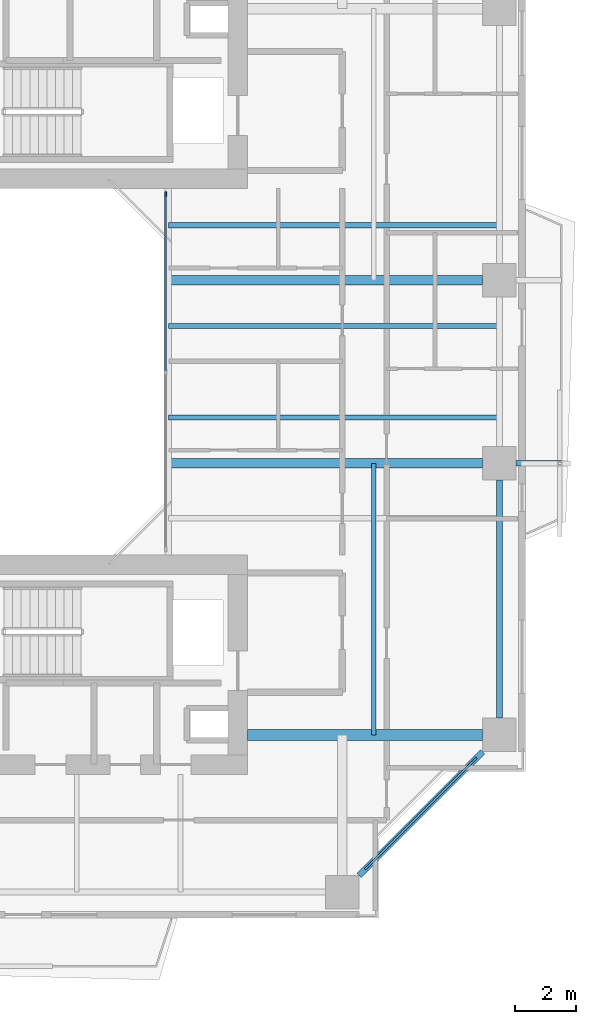
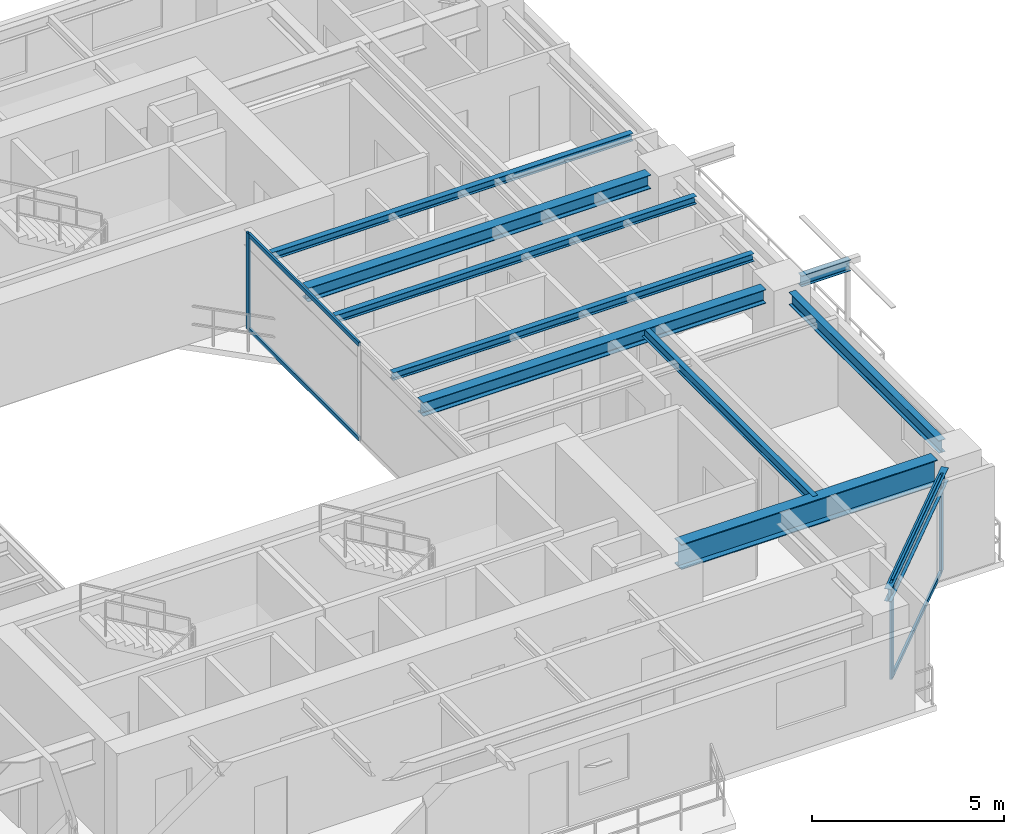
# One storey, part 6 of 17: 10 beams, 7 members, 2 elements without a shape of their own.
"""IFC4 building model written with IfcOpenShell, lengths in metres."""

from ifc_helpers import new_model, si_unit, direction, frame, origin, origin_2d, place, context, subcontext, project, spatial, rectangle, i_section, extrude, source, transform, mapped, material, layer, layer_set, material_profile, profile_set, type_object, element, aggregate, save


model = new_model("IFC4")

# Units and contexts
model_context = context("Model", 3, precision=1e-05, world=origin(), true_north=direction((0.0, 1.0)))
body_context = subcontext(model_context, "Body", "Model", "MODEL_VIEW")
ifc_project = project(units=[si_unit("LENGTHUNIT", "METRE"), si_unit("AREAUNIT", "SQUARE_METRE"), si_unit("VOLUMEUNIT", "CUBIC_METRE"), si_unit("PLANEANGLEUNIT", "RADIAN"), si_unit("MASSUNIT", "GRAM", prefix="KILO"), si_unit("THERMODYNAMICTEMPERATUREUNIT", "KELVIN"), si_unit("POWERUNIT", "WATT")], contexts=[model_context])

# Site, building, storey
site_placement = place(None, origin())
site = spatial("IfcSite", under=ifc_project, at=site_placement, CompositionType="ELEMENT")
building_placement = place(site_placement, origin())
building = spatial("IfcBuilding", under=site, at=building_placement, Name="Qiaomeng Ring Towers", CompositionType="ELEMENT")
storey_placement = place(building_placement, frame((0.0, 0.0, 129.5)))
storey = spatial("IfcBuildingStorey", under=building, at=storey_placement, Name="L37", CompositionType="ELEMENT", Elevation=129.5)

# Beams
ifc_material_1 = material(Name="Steel Q355B", Category="steel")
ifc_material_profile_1 = material_profile(ifc_material_1, i_section(OverallWidth=0.175048828125, OverallDepth=0.35009765625, WebThickness=0.007080078125, FlangeThickness=0.010986328125, FilletRadius=0.013916015625, at=origin_2d()), Name="HN 350x175x7x11")
ifc_profile_set_1 = profile_set([ifc_material_profile_1], Name="Steel Q355B")
beam_type_1 = type_object("IfcBeamType", Name="STR-BM-HN350", PredefinedType="JOIST", material=ifc_profile_set_1)
shared_shape_1 = source(origin(), body_context, "Body", "SweptSolid", [
    extrude(i_section(OverallWidth=0.175048828125, OverallDepth=0.35009765625, WebThickness=0.007080078125, FlangeThickness=0.010986328125, FilletRadius=0.013916015625, at=origin_2d()), origin(), (0.0, 0.0, 1.0), 1.48095703125),
])
beam_1_placement = place(storey_placement, frame((36.59912109375, 20.0, 2.89501953125), z_axis=(1.0, 0.0, 0.0), x_axis=(0.0, 1.0, 0.0)))
element("IfcBeam", 1, at=beam_1_placement, inside=storey, type_object=beam_type_1, Name="L37 beam STR-BALBM-L37-E2", PredefinedType="JOIST", context=body_context, shape_type="MappedRepresentation", body=[
    mapped(shared_shape_1, transform((0.0, 0.0, 0.0), x_axis=(1.0, 0.0, 0.0), y_axis=(0.0, 1.0, 0.0), z_axis=(0.0, 0.0, 1.0), scale=1.0)),
])
ifc_material_profile_2 = material_profile(ifc_material_1, i_section(OverallWidth=0.199951171875, OverallDepth=0.39990234375, WebThickness=0.008056640625, FlangeThickness=0.012939453125, FilletRadius=0.01611328125, at=origin_2d()), Name="HN 400x200x8x13")
ifc_profile_set_2 = profile_set([ifc_material_profile_2], Name="Steel Q355B")
beam_type_2 = type_object("IfcBeamType", Name="STR-BM-HN400", PredefinedType="SPANDREL", material=ifc_profile_set_2)
shared_shape_2 = source(origin(), body_context, "Body", "SweptSolid", [
    extrude(i_section(OverallWidth=0.199951171875, OverallDepth=0.39990234375, WebThickness=0.008056640625, FlangeThickness=0.012939453125, FilletRadius=0.01611328125, at=origin_2d()), origin(), (0.0, 0.0, 1.0), 5.729736328125),
])
beam_2_placement = place(storey_placement, frame((31.44921875, 6.499267578125, 2.8701171875), z_axis=(0.707106781187, 0.707106781187, 0.0), x_axis=(-0.707106781187, 0.707106781187, 0.0)))
element("IfcBeam", 2, at=beam_2_placement, inside=storey, type_object=beam_type_2, Name="L37 beam STR-SP-L37-T1-S2-E1", PredefinedType="SPANDREL", context=body_context, shape_type="MappedRepresentation", body=[
    mapped(shared_shape_2, transform((0.0, 0.0, 0.0), x_axis=(1.0, 0.0, 0.0), y_axis=(0.0, 1.0, 0.0), z_axis=(0.0, 0.0, 1.0), scale=1.0)),
])
shared_shape_3 = source(origin(), body_context, "Body", "SweptSolid", [
    extrude(i_section(OverallWidth=0.199951171875, OverallDepth=0.39990234375, WebThickness=0.008056640625, FlangeThickness=0.012939453125, FilletRadius=0.01611328125, at=origin_2d()), origin(), (0.0, 0.0, 1.0), 7.802001953125),
])
beam_3_placement = place(storey_placement, frame((36.050048828125, 11.64892578125, 2.8701171875), z_axis=(0.0, 1.0, 0.0), x_axis=(-1.0, 0.0, 0.0)))
element("IfcBeam", 3, at=beam_3_placement, inside=storey, type_object=beam_type_2, Name="L37 beam STR-SP-L37-T1-E1-E2", PredefinedType="SPANDREL", context=body_context, shape_type="MappedRepresentation", body=[
    mapped(shared_shape_3, transform((0.0, 0.0, 0.0), x_axis=(1.0, 0.0, 0.0), y_axis=(0.0, 1.0, 0.0), z_axis=(0.0, 0.0, 1.0), scale=1.0)),
])
ifc_material_2 = material(Name="Steel Q390GJC", Category="steel")
ifc_material_profile_3 = material_profile(ifc_material_2, i_section(OverallWidth=0.35009765625, OverallDepth=0.800048828125, WebThickness=0.01611328125, FlangeThickness=0.028076171875, at=origin_2d()), Name="WH 800x350x16x28")
ifc_profile_set_3 = profile_set([ifc_material_profile_3], Name="Steel Q390GJC")
beam_type_3 = type_object("IfcBeamType", Name="STR-BM-WH800", PredefinedType="BEAM", material=ifc_profile_set_3)
shared_shape_4 = source(origin(), body_context, "Body", "SweptSolid", [
    extrude(i_section(OverallWidth=0.35009765625, OverallDepth=0.800048828125, WebThickness=0.01611328125, FlangeThickness=0.028076171875, at=origin_2d()), origin(), (0.0, 0.0, 1.0), 7.700927734375),
])
beam_4_placement = place(storey_placement, frame((27.800048828125, 11.10009765625, 2.669921875), z_axis=(1.0, 0.0, 0.0), x_axis=(0.0, 1.0, 0.0)))
element("IfcBeam", 4, at=beam_4_placement, inside=storey, type_object=beam_type_3, Name="L37 beam STR-BM-L37-T1-RAD-E1", PredefinedType="BEAM", context=body_context, shape_type="MappedRepresentation", body=[
    mapped(shared_shape_4, transform((0.0, 0.0, 0.0), x_axis=(1.0, 0.0, 0.0), y_axis=(0.0, 1.0, 0.0), z_axis=(0.0, 0.0, 1.0), scale=1.0)),
])
ifc_material_profile_4 = material_profile(ifc_material_1, i_section(OverallWidth=0.300048828125, OverallDepth=0.43994140625, WebThickness=0.010986328125, FlangeThickness=0.01806640625, FilletRadius=0.02392578125, at=origin_2d()), Name="HM 440x300x11x18")
ifc_profile_set_4 = profile_set([ifc_material_profile_4], Name="Steel Q355B")
beam_type_4 = type_object("IfcBeamType", Name="STR-BM-HM440", PredefinedType="BEAM", material=ifc_profile_set_4)
shared_shape_5 = source(origin(), body_context, "Body", "SweptSolid", [
    extrude(i_section(OverallWidth=0.300048828125, OverallDepth=0.43994140625, WebThickness=0.010986328125, FlangeThickness=0.01806640625, FilletRadius=0.02392578125, at=origin_2d()), origin(), (0.0, 0.0, 1.0), 10.301025390625),
])
for number, where, z_axis, x_axis, name in (
    (5, (25.199951171875, 20.0, 2.85009765625), (1.0, 0.0, 0.0), (0.0, 1.0, 0.0), "L37 beam STR-BM-L37-T1-RAD-E2"),
    (6, (25.199951171875, 26.0, 2.85009765625), (1.0, 0.0, 0.0), (0.0, 1.0, 0.0), "L37 beam STR-BM-L37-T1-RAD-E3"),
):
    element("IfcBeam", number, at=place(storey_placement, frame(where, z_axis=z_axis, x_axis=x_axis)), inside=storey, type_object=beam_type_4, Name=name, PredefinedType="BEAM", context=body_context, shape_type="MappedRepresentation", body=[
        mapped(shared_shape_5, transform((0.0, 0.0, 0.0), x_axis=(1.0, 0.0, 0.0), y_axis=(0.0, 1.0, 0.0), z_axis=(0.0, 0.0, 1.0), scale=1.0)),
    ])
ifc_material_profile_5 = material_profile(ifc_material_1, i_section(OverallWidth=0.175048828125, OverallDepth=0.243896484375, WebThickness=0.007080078125, FlangeThickness=0.010986328125, FilletRadius=0.01611328125, at=origin_2d()), Name="HM 244x175x7x11")
ifc_profile_set_5 = profile_set([ifc_material_profile_5], Name="Steel Q355B")
beam_type_5 = type_object("IfcBeamType", Name="STR-BM-HM244", PredefinedType="JOIST", material=ifc_profile_set_5)
shared_shape_6 = source(origin(), body_context, "Body", "SweptSolid", [
    extrude(i_section(OverallWidth=0.175048828125, OverallDepth=0.243896484375, WebThickness=0.007080078125, FlangeThickness=0.010986328125, FilletRadius=0.01611328125, at=origin_2d()), origin(), (0.0, 0.0, 1.0), 10.85009765625),
])
for number, where, z_axis, x_axis, name in (
    (7, (25.199951171875, 21.5, 2.947998046875), (1.0, 0.0, 0.0), (0.0, 1.0, 0.0), "L37 beam STR-JST-L37-T1E-2"),
    (8, (25.199951171875, 24.5, 2.947998046875), (1.0, 0.0, 0.0), (0.0, 1.0, 0.0), "L37 beam STR-JST-L37-T1E-3"),
    (9, (25.199951171875, 27.800048828125, 2.947998046875), (1.0, 0.0, 0.0), (0.0, 1.0, 0.0), "L37 beam STR-JST-L37-T1E-4"),
):
    element("IfcBeam", number, at=place(storey_placement, frame(where, z_axis=z_axis, x_axis=x_axis)), inside=storey, type_object=beam_type_5, Name=name, PredefinedType="JOIST", context=body_context, shape_type="MappedRepresentation", body=[
        mapped(shared_shape_6, transform((0.0, 0.0, 0.0), x_axis=(1.0, 0.0, 0.0), y_axis=(0.0, 1.0, 0.0), z_axis=(0.0, 0.0, 1.0), scale=1.0)),
    ])
ifc_material_profile_6 = material_profile(ifc_material_1, i_section(OverallWidth=0.14990234375, OverallDepth=0.300048828125, WebThickness=0.006591796875, FlangeThickness=0.009033203125, FilletRadius=0.012939453125, at=origin_2d()), Name="HN 300x150x6.5x9")
ifc_profile_set_6 = profile_set([ifc_material_profile_6], Name="Steel Q355B")
beam_type_6 = type_object("IfcBeamType", Name="STR-BM-HN300", PredefinedType="JOIST", material=ifc_profile_set_6)
shared_shape_7 = source(origin(), body_context, "Body", "SweptSolid", [
    extrude(i_section(OverallWidth=0.14990234375, OverallDepth=0.300048828125, WebThickness=0.006591796875, FlangeThickness=0.009033203125, FilletRadius=0.012939453125, at=origin_2d()), origin(), (0.0, 0.0, 1.0), 8.89990234375),
])
beam_5_placement = place(storey_placement, frame((31.925048828125, 11.10009765625, 2.919921875), z_axis=(0.0, 1.0, 0.0), x_axis=(-1.0, 0.0, 0.0)))
element("IfcBeam", 10, at=beam_5_placement, inside=storey, type_object=beam_type_6, Name="L37 beam STR-JST-L37-T1C-ES", PredefinedType="JOIST", context=body_context, shape_type="MappedRepresentation", body=[
    mapped(shared_shape_7, transform((0.0, 0.0, 0.0), x_axis=(1.0, 0.0, 0.0), y_axis=(0.0, 1.0, 0.0), z_axis=(0.0, 0.0, 1.0), scale=1.0)),
])

# Curtain wall, members
ifc_material_3 = material(Name="Fluorocarbon dark-grey aluminium", Category="aluminium")
ifc_layer_1 = layer(ifc_material_3, 0.139892578125, Name="Fluorocarbon dark-grey aluminium")
ifc_layer_set_1 = layer_set([ifc_layer_1], Name="Fluorocarbon dark-grey aluminium")
curtain_wall_type_1 = type_object("IfcCurtainWallType", Name="ARC-CW-4", PredefinedType="NOTDEFINED", material=ifc_layer_set_1)
curtain_wall_1_placement = place(storey_placement, origin())
curtain_wall_1 = element("IfcCurtainWall", 11, at=curtain_wall_1_placement, inside=storey, type_object=curtain_wall_type_1, Name="L37 Curtain Wall CW4", PredefinedType="NOTDEFINED")
ifc_material_profile_7 = material_profile(ifc_material_3, rectangle(XDim=0.06494140625, YDim=0.159912109375, at=origin_2d()), Name="ALU MULL 65x160")
ifc_profile_set_7 = profile_set([ifc_material_profile_7], Name="Fluorocarbon dark-grey aluminium")
member_type_1 = type_object("IfcMemberType", Name="ARC-CWM-140", PredefinedType="MULLION", material=ifc_profile_set_7)
shared_shape_8 = source(origin(), body_context, "Body", "SweptSolid", [
    extrude(rectangle(XDim=0.06494140625, YDim=0.159912109375, at=origin_2d()), origin(), (0.0, 0.0, 1.0), 3.070068359375),
])
member_1_placement = place(storey_placement, frame((25.1201171875, 28.8173828125, 0.0), z_axis=(0.0, 0.0, 1.0), x_axis=(-1.0, 0.0, 0.0)))
member_1 = element("IfcMember", 12, at=member_1_placement, type_object=member_type_1, Name="CW4 mullion 3", PredefinedType="MULLION", context=body_context, shape_type="MappedRepresentation", body=[
    mapped(shared_shape_8, transform((0.0, 0.0, 0.0), x_axis=(1.0, 0.0, 0.0), y_axis=(0.0, 1.0, 0.0), z_axis=(0.0, 0.0, 1.0), scale=1.0)),
])
ifc_material_profile_8 = material_profile(ifc_material_3, rectangle(XDim=0.06494140625, YDim=0.1298828125, at=origin_2d()), Name="ALU TRAN 65x130")
ifc_profile_set_8 = profile_set([ifc_material_profile_8], Name="Fluorocarbon dark-grey aluminium")
member_type_2 = type_object("IfcMemberType", Name="ARC-CWT-120", PredefinedType="USERDEFINED", material=ifc_profile_set_8)
shared_shape_9 = source(origin(), body_context, "Body", "SweptSolid", [
    extrude(rectangle(XDim=0.06494140625, YDim=0.1298828125, at=origin_2d()), origin(), (0.0, 0.0, 1.0), 5.75244140625),
])
member_2_placement = place(storey_placement, frame((25.1201171875, 23.032470703125, 0.032470703125), z_axis=(0.0, 1.0, 0.0), x_axis=(-1.0, 0.0, 0.0)))
member_2 = element("IfcMember", 13, at=member_2_placement, type_object=member_type_2, Name="CW4 transom 2.1", ObjectType="TRANSOM", PredefinedType="USERDEFINED", context=body_context, shape_type="MappedRepresentation", body=[
    mapped(shared_shape_9, transform((0.0, 0.0, 0.0), x_axis=(1.0, 0.0, 0.0), y_axis=(0.0, 1.0, 0.0), z_axis=(0.0, 0.0, 1.0), scale=1.0)),
])
member_3_placement = place(storey_placement, frame((25.1201171875, 23.032470703125, 3.03759765625), z_axis=(0.0, 1.0, 0.0), x_axis=(-1.0, 0.0, 0.0)))
member_3 = element("IfcMember", 14, at=member_3_placement, type_object=member_type_2, Name="CW4 transom 2.2", ObjectType="TRANSOM", PredefinedType="USERDEFINED", context=body_context, shape_type="MappedRepresentation", body=[
    mapped(shared_shape_9, transform((0.0, 0.0, 0.0), x_axis=(1.0, 0.0, 0.0), y_axis=(0.0, 1.0, 0.0), z_axis=(0.0, 0.0, 1.0), scale=1.0)),
])
aggregate(curtain_wall_1, [member_1, member_2, member_3])

ifc_layer_2 = layer(ifc_material_3, 0.14990234375, Name="Fluorocarbon dark-grey aluminium")
ifc_layer_set_2 = layer_set([ifc_layer_2], Name="Fluorocarbon dark-grey aluminium")
curtain_wall_type_2 = type_object("IfcCurtainWallType", Name="ARC-CW-3", PredefinedType="NOTDEFINED", material=ifc_layer_set_2)
curtain_wall_2_placement = place(storey_placement, origin())
curtain_wall_2 = element("IfcCurtainWall", 15, at=curtain_wall_2_placement, inside=storey, type_object=curtain_wall_type_2, Name="L37 Curtain Wall CW3", PredefinedType="NOTDEFINED")
ifc_material_profile_9 = material_profile(ifc_material_3, rectangle(XDim=0.070068359375, YDim=0.179931640625, at=origin_2d()), Name="ALU MULL 70x180")
ifc_profile_set_9 = profile_set([ifc_material_profile_9], Name="Fluorocarbon dark-grey aluminium")
member_type_3 = type_object("IfcMemberType", Name="ARC-CWM-160", PredefinedType="MULLION", material=ifc_profile_set_9)
shared_shape_10 = source(origin(), body_context, "Body", "SweptSolid", [
    extrude(rectangle(XDim=0.070068359375, YDim=0.179931640625, at=origin_2d()), origin(), (0.0, 0.0, 1.0), 3.070068359375),
])
member_4_placement = place(storey_placement, frame((31.71484375, 6.7646484375, 0.0), z_axis=(0.0, 0.0, 1.0), x_axis=(-0.707106781187, 0.707106781187, 0.0)))
member_4 = element("IfcMember", 16, at=member_4_placement, type_object=member_type_3, Name="CW3 mullion 1", PredefinedType="MULLION", context=body_context, shape_type="MappedRepresentation", body=[
    mapped(shared_shape_10, transform((0.0, 0.0, 0.0), x_axis=(1.0, 0.0, 0.0), y_axis=(0.0, 1.0, 0.0), z_axis=(0.0, 0.0, 1.0), scale=1.0)),
])
member_5_placement = place(storey_placement, frame((35.2353515625, 10.28515625, 0.0), z_axis=(0.0, 0.0, 1.0), x_axis=(-0.707106781187, 0.707106781187, 0.0)))
member_5 = element("IfcMember", 17, at=member_5_placement, type_object=member_type_3, Name="CW3 mullion 2", PredefinedType="MULLION", context=body_context, shape_type="MappedRepresentation", body=[
    mapped(shared_shape_10, transform((0.0, 0.0, 0.0), x_axis=(1.0, 0.0, 0.0), y_axis=(0.0, 1.0, 0.0), z_axis=(0.0, 0.0, 1.0), scale=1.0)),
])
shared_shape_11 = source(origin(), body_context, "Body", "SweptSolid", [
    extrude(rectangle(XDim=0.06494140625, YDim=0.1298828125, at=origin_2d()), origin(), (0.0, 0.0, 1.0), 4.90869140625),
])
member_6_placement = place(storey_placement, frame((31.739501953125, 6.78955078125, 0.032470703125), z_axis=(0.707106781187, 0.707106781187, 0.0), x_axis=(-0.707106781187, 0.707106781187, 0.0)))
member_6 = element("IfcMember", 18, at=member_6_placement, type_object=member_type_2, Name="CW3 transom 1.1", ObjectType="TRANSOM", PredefinedType="USERDEFINED", context=body_context, shape_type="MappedRepresentation", body=[
    mapped(shared_shape_11, transform((0.0, 0.0, 0.0), x_axis=(1.0, 0.0, 0.0), y_axis=(0.0, 1.0, 0.0), z_axis=(0.0, 0.0, 1.0), scale=1.0)),
])
member_7_placement = place(storey_placement, frame((31.739501953125, 6.78955078125, 3.03759765625), z_axis=(0.707106781187, 0.707106781187, 0.0), x_axis=(-0.707106781187, 0.707106781187, 0.0)))
member_7 = element("IfcMember", 19, at=member_7_placement, type_object=member_type_2, Name="CW3 transom 1.2", ObjectType="TRANSOM", PredefinedType="USERDEFINED", context=body_context, shape_type="MappedRepresentation", body=[
    mapped(shared_shape_11, transform((0.0, 0.0, 0.0), x_axis=(1.0, 0.0, 0.0), y_axis=(0.0, 1.0, 0.0), z_axis=(0.0, 0.0, 1.0), scale=1.0)),
])
aggregate(curtain_wall_2, [member_4, member_5, member_6, member_7])

save(model, "model.ifc")
